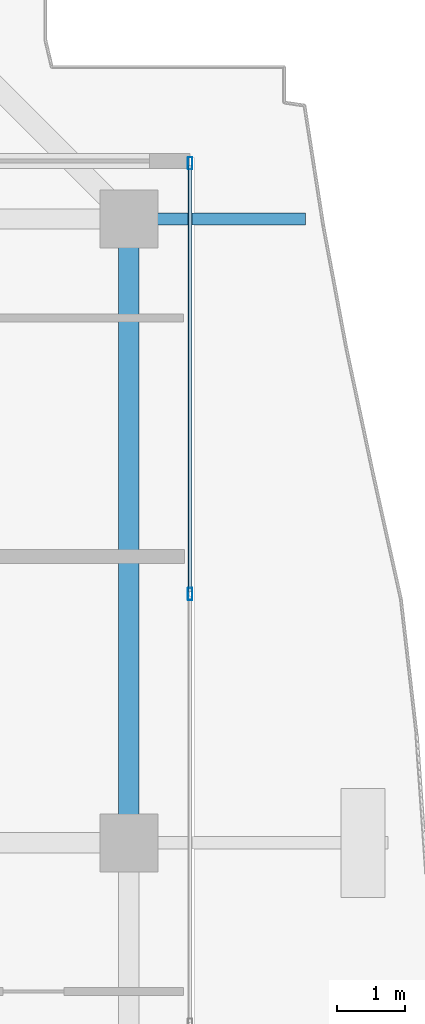
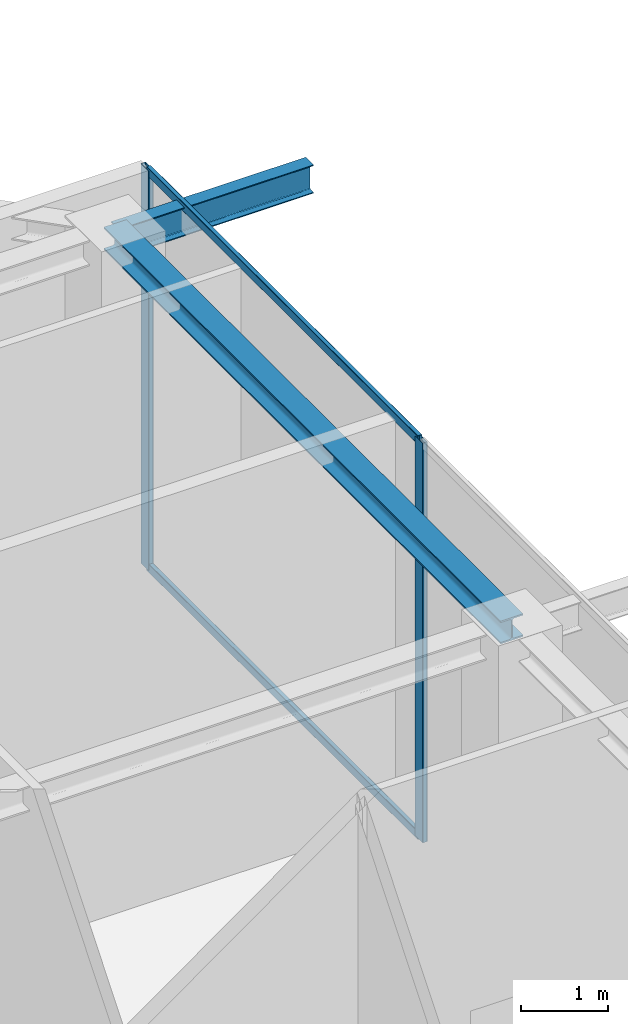
# One storey, part 24 of 38: 4 members, 2 beams, 1 element without a shape of its own.
"""IFC4 building model written with IfcOpenShell, lengths in metres."""

from ifc_helpers import new_model, si_unit, direction, frame, origin, origin_2d, place, context, subcontext, project, spatial, hollow_rectangle, i_section, extrude, source, transform, mapped, material, layer, layer_set, material_profile, profile_set, type_object, element, aggregate, save


model = new_model("IFC4")

# Units and contexts
model_context = context("Model", 3, precision=1e-05, world=origin(), true_north=direction((0.0, 1.0)))
body_context = subcontext(model_context, "Body", "Model", "MODEL_VIEW")
ifc_project = project(units=[si_unit("LENGTHUNIT", "METRE"), si_unit("AREAUNIT", "SQUARE_METRE"), si_unit("VOLUMEUNIT", "CUBIC_METRE"), si_unit("PLANEANGLEUNIT", "RADIAN"), si_unit("MASSUNIT", "GRAM", prefix="KILO")], contexts=[model_context])

# Site, building, storey
site_placement = place(None, origin())
site = spatial("IfcSite", under=ifc_project, at=site_placement, CompositionType="ELEMENT")
building_placement = place(site_placement, origin())
building = spatial("IfcBuilding", under=site, at=building_placement, Name="Serunith Strait Residences", CompositionType="ELEMENT")
storey_placement = place(building_placement, frame((0.0, 0.0, 342.050048828125)))
storey = spatial("IfcBuildingStorey", under=building, at=storey_placement, Name="L85", CompositionType="ELEMENT", Elevation=342.050048828125)

# Beams
ifc_material_1 = material(Name="Steel S355J2", Category="steel")
ifc_material_profile_1 = material_profile(ifc_material_1, i_section(OverallWidth=0.300048828125, OverallDepth=0.320068359375, WebThickness=0.011474609375, FlangeThickness=0.0205078125, FilletRadius=0.027099609375, at=origin_2d()), Name="HEB 320")
ifc_profile_set_1 = profile_set([ifc_material_profile_1], Name="Steel S355J2")
beam_type_1 = type_object("IfcBeamType", Name="BM-HEB320", PredefinedType="BEAM", material=ifc_profile_set_1)
shared_shape_1 = source(origin(), body_context, "Body", "SweptSolid", [
    extrude(i_section(OverallWidth=0.300048828125, OverallDepth=0.320068359375, WebThickness=0.011474609375, FlangeThickness=0.0205078125, FilletRadius=0.027099609375, at=origin_2d()), origin(), (0.0, 0.0, 1.0), 9.150146484375),
])
beam_1_placement = place(storey_placement, frame((53.10009765625, 29.39990234375, 5.47705078125), z_axis=(0.0, 1.0, 0.0), x_axis=(-1.0, 0.0, 0.0)))
element("IfcBeam", 1, at=beam_1_placement, inside=storey, type_object=beam_type_1, Name="L85 Perimeter Ring Beam 07", PredefinedType="BEAM", context=body_context, shape_type="MappedRepresentation", body=[
    mapped(shared_shape_1, transform((0.0, 0.0, 0.0), scale=1.0)),
])
ifc_material_profile_2 = material_profile(ifc_material_1, i_section(OverallWidth=0.179931640625, OverallDepth=0.39990234375, WebThickness=0.008544921875, FlangeThickness=0.013427734375, FilletRadius=0.02099609375, at=origin_2d()), Name="IPE 400")
ifc_profile_set_2 = profile_set([ifc_material_profile_2], Name="Steel S355J2")
beam_type_2 = type_object("IfcBeamType", Name="BM-IPE400", PredefinedType="JOIST", material=ifc_profile_set_2)
shared_shape_2 = source(origin(), body_context, "Body", "SweptSolid", [
    extrude(i_section(OverallWidth=0.179931640625, OverallDepth=0.39990234375, WebThickness=0.008544921875, FlangeThickness=0.013427734375, FilletRadius=0.02099609375, at=origin_2d()), origin(), (0.0, 0.0, 1.0), 2.59033203125),
])
beam_2_placement = place(storey_placement, frame((53.10009765625, 38.550048828125, 5.406982421875), z_axis=(1.0, 0.0, 0.0), x_axis=(0.0, 1.0, 0.0)))
element("IfcBeam", 2, at=beam_2_placement, inside=storey, type_object=beam_type_2, Name="L86 Cantilevered Balcony Rib TC-E4", PredefinedType="JOIST", context=body_context, shape_type="MappedRepresentation", body=[
    mapped(shared_shape_2, transform((0.0, 0.0, 0.0), scale=1.0)),
])

# Curtain wall, members
ifc_material_2 = material(Name="Brushed Stainless-Silver Aluminium", Category="aluminium")
ifc_layer = layer(ifc_material_2, 0.199951171875, Name="Brushed Stainless-Silver Aluminium")
ifc_layer_set = layer_set([ifc_layer], Name="Brushed Stainless-Silver Aluminium")
curtain_wall_type = type_object("IfcCurtainWallType", Name="CW-SYS5", PredefinedType="NOTDEFINED", material=ifc_layer_set)
curtain_wall_placement = place(storey_placement, origin())
curtain_wall = element("IfcCurtainWall", 3, at=curtain_wall_placement, inside=storey, type_object=curtain_wall_type, Name="L85 E Unitised Fritted Curtain Wall", PredefinedType="NOTDEFINED")
ifc_material_profile_3 = material_profile(ifc_material_2, hollow_rectangle(XDim=0.06005859375, YDim=0.1201171875, WallThickness=0.00341796875, InnerFilletRadius=0.00537109375, OuterFilletRadius=0.0087890625, at=origin_2d()), Name="ALU 120x60x3.5")
ifc_profile_set_3 = profile_set([ifc_material_profile_3], Name="Brushed Stainless-Silver Aluminium")
member_type_1 = type_object("IfcMemberType", Name="CW-SYS5-TRAN", PredefinedType="USERDEFINED", material=ifc_profile_set_3)
shared_shape_3 = source(origin(), body_context, "Body", "SweptSolid", [
    extrude(hollow_rectangle(XDim=0.06005859375, YDim=0.1201171875, WallThickness=0.00341796875, InnerFilletRadius=0.00537109375, OuterFilletRadius=0.0087890625, at=origin_2d()), origin(), (0.0, 0.0, 1.0), 6.25244140625),
])
member_1_placement = place(storey_placement, frame((54.0, 33.08251953125, 0.030029296875), z_axis=(0.0, 1.0, 0.0), x_axis=(-1.0, 0.0, 0.0)))
member_1 = element("IfcMember", 4, at=member_1_placement, type_object=member_type_1, Name="CW-5 transom 2.1", ObjectType="TRANSOM", PredefinedType="USERDEFINED", context=body_context, shape_type="MappedRepresentation", body=[
    mapped(shared_shape_3, transform((0.0, 0.0, 0.0), scale=1.0)),
])
member_2_placement = place(storey_placement, frame((54.0, 33.08251953125, 5.594970703125), z_axis=(0.0, 1.0, 0.0), x_axis=(-1.0, 0.0, 0.0)))
member_2 = element("IfcMember", 5, at=member_2_placement, type_object=member_type_1, Name="CW-5 transom 2.2", ObjectType="TRANSOM", PredefinedType="USERDEFINED", context=body_context, shape_type="MappedRepresentation", body=[
    mapped(shared_shape_3, transform((0.0, 0.0, 0.0), scale=1.0)),
])
ifc_material_profile_4 = material_profile(ifc_material_2, hollow_rectangle(XDim=0.06494140625, YDim=0.179931640625, WallThickness=0.00341796875, InnerFilletRadius=0.00537109375, OuterFilletRadius=0.0087890625, at=origin_2d()), Name="ALU 180x65x3.5")
ifc_profile_set_4 = profile_set([ifc_material_profile_4], Name="Brushed Stainless-Silver Aluminium")
member_type_2 = type_object("IfcMemberType", Name="CW-SYS5-MULL", PredefinedType="MULLION", material=ifc_profile_set_4)
shared_shape_4 = source(origin(), body_context, "Body", "SweptSolid", [
    extrude(hollow_rectangle(XDim=0.06494140625, YDim=0.179931640625, WallThickness=0.00341796875, InnerFilletRadius=0.00537109375, OuterFilletRadius=0.0087890625, at=origin_2d()), origin(), (0.0, 0.0, 1.0), 5.625),
])
member_3_placement = place(storey_placement, frame((54.0, 33.050048828125, 0.0), z_axis=(0.0, 0.0, 1.0), x_axis=(-1.0, 0.0, 0.0)))
member_3 = element("IfcMember", 6, at=member_3_placement, type_object=member_type_2, Name="CW-5 mullion 2", PredefinedType="MULLION", context=body_context, shape_type="MappedRepresentation", body=[
    mapped(shared_shape_4, transform((0.0, 0.0, 0.0), scale=1.0)),
])
member_4_placement = place(storey_placement, frame((54.0, 39.367431640625, 0.0), z_axis=(0.0, 0.0, 1.0), x_axis=(-1.0, 0.0, 0.0)))
member_4 = element("IfcMember", 7, at=member_4_placement, type_object=member_type_2, Name="CW-5 mullion 3", PredefinedType="MULLION", context=body_context, shape_type="MappedRepresentation", body=[
    mapped(shared_shape_4, transform((0.0, 0.0, 0.0), scale=1.0)),
])
aggregate(curtain_wall, [member_3, member_4, member_1, member_2])

save(model, "model.ifc")
